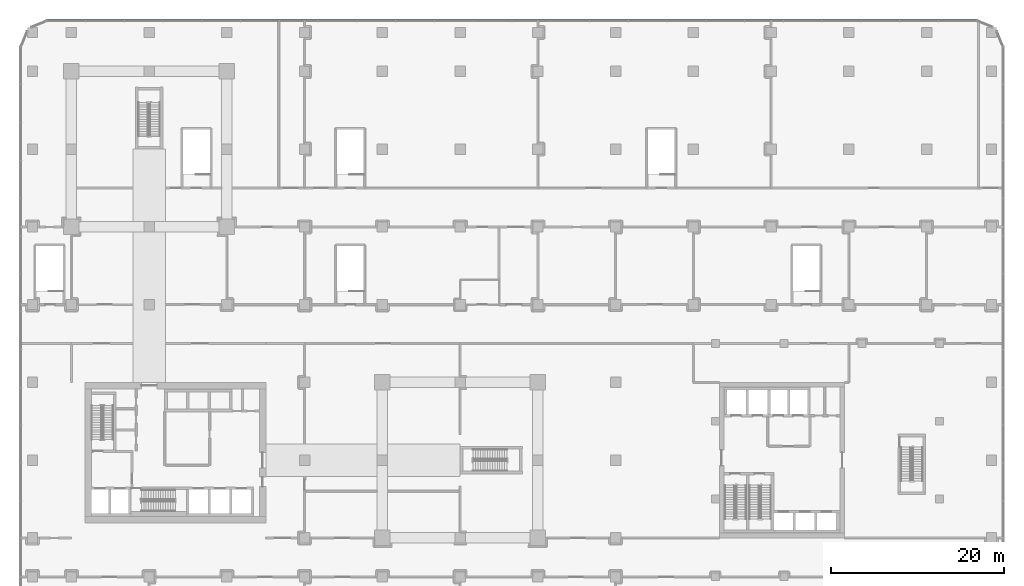
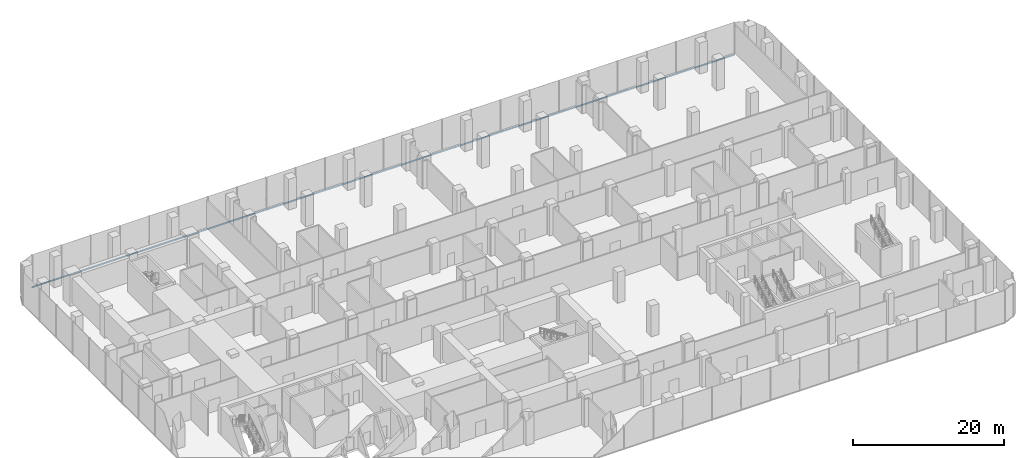
# One storey, part 18 of 36: 1 member, 1 element without a shape of its own.
"""IFC4 building model written with IfcOpenShell, lengths in metres."""

from ifc_helpers import new_model, si_unit, direction, frame, origin, origin_2d, place, context, subcontext, project, spatial, rectangle, extrude, material, layer, layer_set, material_profile, profile_set, type_object, element, aggregate, save


model = new_model("IFC4")

# Units and contexts
model_context = context("Model", 3, precision=1e-05, world=origin(), true_north=direction((0.0, 1.0)))
body_context = subcontext(model_context, "Body", "Model", "MODEL_VIEW")
ifc_project = project(units=[si_unit("LENGTHUNIT", "METRE"), si_unit("AREAUNIT", "SQUARE_METRE"), si_unit("VOLUMEUNIT", "CUBIC_METRE"), si_unit("PLANEANGLEUNIT", "RADIAN"), si_unit("MASSUNIT", "GRAM", prefix="KILO")], contexts=[model_context])

# Site, building, storey
site_placement = place(None, origin())
site = spatial("IfcSite", under=ifc_project, at=site_placement, CompositionType="ELEMENT")
building_placement = place(site_placement, origin())
building = spatial("IfcBuilding", under=site, at=building_placement, Name="Plateau Cross Towers", CompositionType="ELEMENT")
storey_placement = place(building_placement, frame((0.0, 0.0, 21.800048828125)))
storey = spatial("IfcBuildingStorey", under=building, at=storey_placement, Name="L04", CompositionType="ELEMENT", Elevation=21.800048828125)

# Curtain wall, member
ifc_material_1 = material(Name="Dark low-iron laminated glass", Category="glass")
ifc_layer = layer(ifc_material_1, 0.300048828125)
ifc_layer_set = layer_set([ifc_layer], Name="Dark low-iron laminated glass")
curtain_wall_type = type_object("IfcCurtainWallType", Name="Curtain wall structural silicone CW-C", PredefinedType="NOTDEFINED", material=ifc_layer_set)
curtain_wall_placement = place(storey_placement, origin())
curtain_wall = element("IfcCurtainWall", 1, at=curtain_wall_placement, inside=storey, type_object=curtain_wall_type, Name="ENV/P/L04/P1048_598", PredefinedType="NOTDEFINED")
ifc_material_2 = material(Name="Black anodised aluminium", Category="aluminium")
ifc_material_profile = material_profile(ifc_material_2, rectangle(XDim=0.10009765625, YDim=0.14990234375, at=origin_2d()), Name="TRANSOM 100x150")
ifc_profile_set = profile_set([ifc_material_profile], Name="Black anodised aluminium")
member_type = type_object("IfcMemberType", Name="Transom 100x150 structural silicone", PredefinedType="USERDEFINED", material=ifc_profile_set)
member_placement = place(storey_placement, frame((104.85009765625, 59.85009765625, -0.275146484375), z_axis=(-1.0, 0.0, 0.0), x_axis=(0.0, -1.0, 0.0)))
member = element("IfcMember", 2, at=member_placement, type_object=member_type, Name="CW-C transom", ObjectType="TRANSOM", PredefinedType="USERDEFINED", context=body_context, shape_type="SweptSolid", body=[
    extrude(rectangle(XDim=0.10009765625, YDim=0.14990234375, at=origin_2d()), origin(), (0.0, 0.0, 1.0), 107.7001953125),
])
aggregate(curtain_wall, [member])

save(model, "model.ifc")
